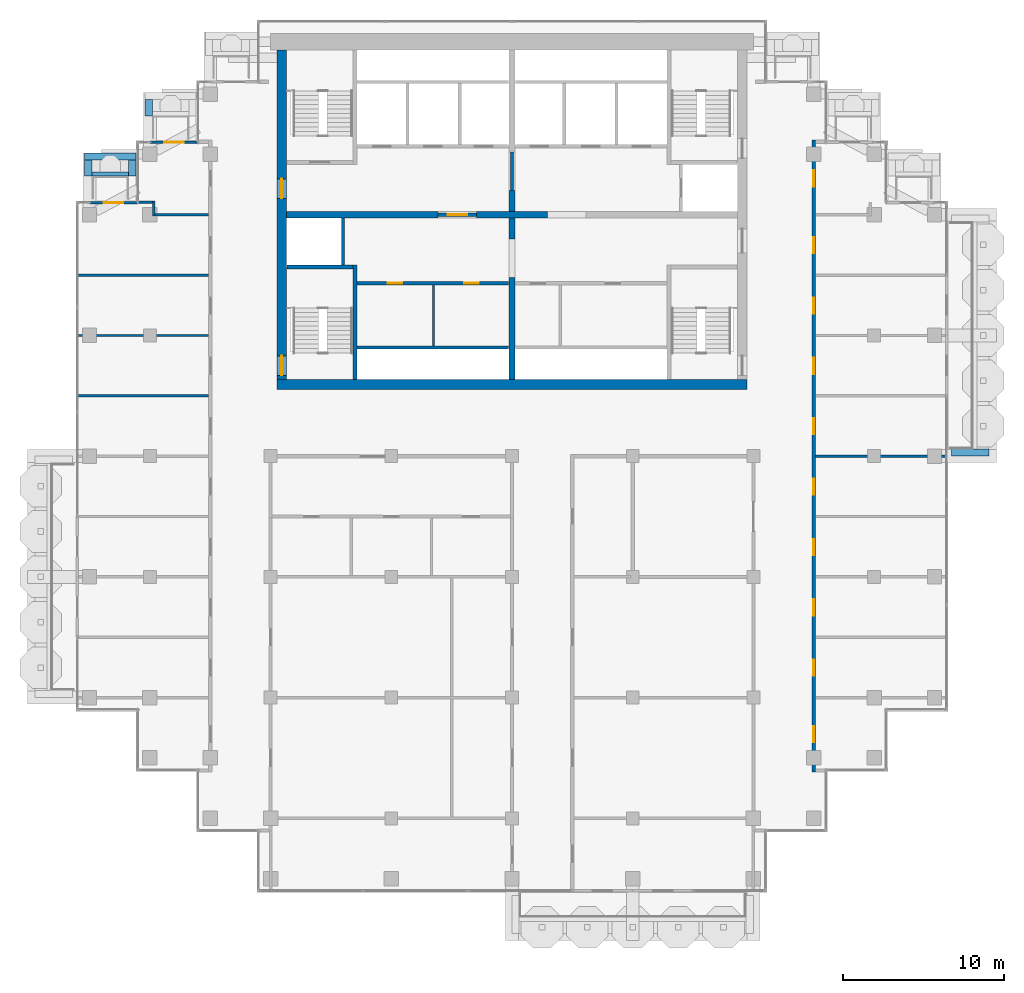
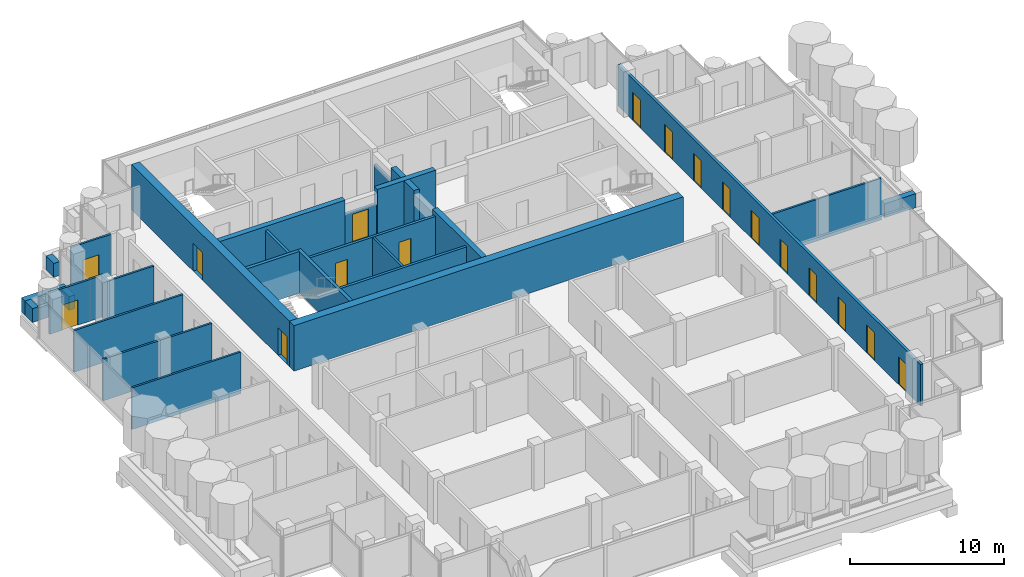
# One storey, part 13 of 19: 31 walls, 17 doors, 17 openings.
"""IFC4 building model written with IfcOpenShell, lengths in metres."""

from ifc_helpers import new_model, si_unit, direction, frame, frame_2d, origin, place, context, subcontext, project, spatial, rectangle, extrude, material, layer, layer_set, type_object, element, fill, save


model = new_model("IFC4")

# Units and contexts
model_context = context("Model", 3, precision=1e-05, world=origin(), true_north=direction((0.0, 1.0)))
body_context = subcontext(model_context, "Body", "Model", "MODEL_VIEW")
ifc_project = project(units=[si_unit("LENGTHUNIT", "METRE"), si_unit("AREAUNIT", "SQUARE_METRE"), si_unit("VOLUMEUNIT", "CUBIC_METRE"), si_unit("PLANEANGLEUNIT", "RADIAN"), si_unit("MASSUNIT", "GRAM", prefix="KILO")], contexts=[model_context])

# Site, building, storey
site_placement = place(None, origin())
site = spatial("IfcSite", under=ifc_project, at=site_placement, CompositionType="ELEMENT")
building_placement = place(site_placement, origin())
building = spatial("IfcBuilding", under=site, at=building_placement, Name="Pilkhan Gate Tower", CompositionType="ELEMENT")
storey_placement = place(building_placement, frame((0.0, 0.0, 246.300048828125)))
storey = spatial("IfcBuildingStorey", under=building, at=storey_placement, Name="L64", CompositionType="ELEMENT", Elevation=246.300048828125)

# Walls
ifc_material_1 = material(Name="Concrete C40/50", Category="concrete")
ifc_layer_1 = layer(ifc_material_1, 0.25)
ifc_layer_set_1 = layer_set([ifc_layer_1], Name="Balcony planter BP250")
wall_type_1 = type_object("IfcWallType", Name="Balcony planter BP250", PredefinedType="USERDEFINED", material=ifc_layer_set_1)
wall_1_placement = place(storey_placement, frame((48.89990234375, 85.02490234375, 0.0), z_axis=(0.0, 0.0, 1.0), x_axis=(1.0, 0.0, 0.0)))
element("IfcWall", 1, at=wall_1_placement, inside=storey, type_object=wall_type_1, Name="Balcony planter L64 N", ObjectType="BALCONY PLANTER", PredefinedType="USERDEFINED", context=body_context, shape_type="SweptSolid", body=[
    extrude(rectangle(XDim=2.280029296875, YDim=0.25, at=frame_2d((1.14013671875, 0.0))), origin(), (0.0, 0.0, 1.0), 1.0),
])
ifc_material_2 = material(Name="Board-marked Concrete C40/50", Category="concrete")
ifc_layer_2 = layer(ifc_material_2, 0.449951171875)
ifc_layer_set_2 = layer_set([ifc_layer_2], Name="Balcony planter lip BL450")
wall_type_2 = type_object("IfcWallType", Name="Balcony planter lip BL450", PredefinedType="USERDEFINED", material=ifc_layer_set_2)
wall_2_placement = place(storey_placement, frame((102.300048828125, 67.72509765625, 0.0), z_axis=(0.0, 0.0, 1.0), x_axis=(1.0, 0.0, 0.0)))
element("IfcWall", 2, at=wall_2_placement, inside=storey, type_object=wall_type_2, Name="Balcony planter L64 E", ObjectType="BALCONY PLANTER", PredefinedType="USERDEFINED", context=body_context, shape_type="SweptSolid", body=[
    extrude(rectangle(XDim=2.349853515625, YDim=0.449951171875, at=frame_2d((1.1748046875, 0.0))), origin(), (0.0, 0.0, 1.0), 1.099853515625),
])
wall_3_placement = place(storey_placement, frame((52.425048828125, 88.64990234375, 0.0), z_axis=(0.0, 0.0, 1.0), x_axis=(0.0, 1.0, 0.0)))
element("IfcWall", 3, at=wall_3_placement, inside=storey, type_object=wall_type_2, Name="Balcony planter L64 N", ObjectType="BALCONY PLANTER", PredefinedType="USERDEFINED", context=body_context, shape_type="SweptSolid", body=[
    extrude(rectangle(XDim=1.0, YDim=0.449951171875, at=frame_2d((0.5, 0.0))), origin(), (0.0, 0.0, 1.0), 1.099853515625),
])
wall_4_placement = place(storey_placement, frame((48.449951171875, 86.125, 0.0), z_axis=(0.0, 0.0, 1.0), x_axis=(1.0, 0.0, 0.0)))
element("IfcWall", 4, at=wall_4_placement, inside=storey, type_object=wall_type_2, Name="Balcony planter L64 N", ObjectType="BALCONY PLANTER", PredefinedType="USERDEFINED", context=body_context, shape_type="SweptSolid", body=[
    extrude(rectangle(XDim=3.179931640625, YDim=0.449951171875, at=frame_2d((1.58984375, 0.0))), origin(), (0.0, 0.0, 1.0), 1.099853515625),
])
for number, where, z_axis, x_axis, name in (
    (5, (48.675048828125, 84.89990234375, 0.0), (0.0, 0.0, 1.0), (0.0, 1.0, 0.0), "Balcony planter L64 N"),
    (6, (51.405029296875, 84.89990234375, 0.0), (0.0, 0.0, 1.0), (0.0, 1.0, 0.0), "Balcony planter L64 N"),
):
    element("IfcWall", number, at=place(storey_placement, frame(where, z_axis=z_axis, x_axis=x_axis)), inside=storey, type_object=wall_type_2, Name=name, ObjectType="BALCONY PLANTER", PredefinedType="USERDEFINED", context=body_context, shape_type="SweptSolid", body=[
        extrude(rectangle(XDim=1.0, YDim=0.449951171875, at=frame_2d((0.5, 0.0))), origin(), (0.0, 0.0, 1.0), 1.099853515625),
    ])
ifc_material_3 = material(Name="Concrete C50/60", Category="concrete")
ifc_layer_3 = layer(ifc_material_3, 0.60009765625)
ifc_layer_set_3 = layer_set([ifc_layer_3], Name="Core wall CW600 C50/60")
wall_type_3 = type_object("IfcWallType", Name="Core wall CW600 C50/60", PredefinedType="SHEAR", material=ifc_layer_set_3)
wall_5_placement = place(storey_placement, frame((60.39990234375, 71.949951171875, 0.0), z_axis=(0.0, 0.0, 1.0), x_axis=(1.0, 0.0, 0.0)))
element("IfcWall", 7, at=wall_5_placement, inside=storey, type_object=wall_type_3, Name="Core wall S L64", PredefinedType="SHEAR", context=body_context, shape_type="SweptSolid", body=[
    extrude(rectangle(XDim=29.2001953125, YDim=0.60009765625, at=frame_2d((14.60009765625, 0.0))), origin(), (0.0, 0.0, 1.0), 3.599853515625),
])

# Wall, openings, doors
wall_6_placement = place(storey_placement, frame((60.699951171875, 92.75, 0.0), z_axis=(0.0, 0.0, 1.0), x_axis=(0.0, -1.0, 0.0)))
wall_6 = element("IfcWall", 8, at=wall_6_placement, inside=storey, type_object=wall_type_3, Name="Core wall W L64", PredefinedType="SHEAR", context=body_context, shape_type="SweptSolid", body=[
    extrude(rectangle(XDim=20.5, YDim=0.60009765625, at=frame_2d((10.25, 0.0))), origin(), (0.0, 0.0, 1.0), 3.599853515625),
])
opening_1_placement = place(wall_6_placement, frame((19.02490234375, 0.0, 0.0)))
opening_1 = element("IfcOpeningElement", 9, at=opening_1_placement, cuts=wall_6, Name="Opening L64-04", PredefinedType="OPENING", context=body_context, shape_type="SweptSolid", body=[
    extrude(rectangle(XDim=1.199951171875, YDim=2.199951171875, at=frame_2d((0.60009765625, 1.10009765625))), frame((0.0, 0.31005859375, 0.0), z_axis=(0.0, -1.0, 0.0), x_axis=(1.0, 0.0, 0.0)), (0.0, 0.0, 1.0), 0.6201171875),
])
opening_2_placement = place(wall_6_placement, frame((8.02490234375, 0.0, 0.0)))
opening_2 = element("IfcOpeningElement", 10, at=opening_2_placement, cuts=wall_6, Name="Opening L64-07", PredefinedType="OPENING", context=body_context, shape_type="SweptSolid", body=[
    extrude(rectangle(XDim=1.199951171875, YDim=2.199951171875, at=frame_2d((0.60009765625, 1.10009765625))), frame((0.0, 0.31005859375, 0.0), z_axis=(0.0, -1.0, 0.0), x_axis=(1.0, 0.0, 0.0)), (0.0, 0.0, 1.0), 0.6201171875),
])
ifc_material_4 = material(Name="Steel door, 120 minute fire resisting, self-closing", Category="steel")
door_type_1 = type_object("IfcDoorType", Name="Firefighting lobby door D10 1200x2200", OperationType="SINGLE_SWING_LEFT", PredefinedType="DOOR", material=ifc_material_4)
door_1_placement = place(opening_2_placement, origin())
door_1 = element("IfcDoor", 11, at=door_1_placement, inside=storey, type_object=door_type_1, Name="Core door", OperationType="SINGLE_SWING_RIGHT", OverallHeight=2.199951171875, OverallWidth=1.199951171875, PredefinedType="DOOR", context=body_context, shape_type="SweptSolid", body=[
    extrude(rectangle(XDim=1.199951171875, YDim=2.199951171875, at=frame_2d((0.60009765625, 1.10009765625))), frame((0.0, 0.02490234375, 0.0), z_axis=(0.0, -1.0, 0.0), x_axis=(1.0, 0.0, 0.0)), (0.0, 0.0, 1.0), 0.050048828125),
])
fill(opening_2, door_1)
ifc_material_5 = material(Name="Steel door, 120 minute fire resisting, panic bar", Category="steel")
door_type_2 = type_object("IfcDoorType", Name="Stair door D11 1200x2200", OperationType="SINGLE_SWING_LEFT", PredefinedType="DOOR", material=ifc_material_5)
door_2_placement = place(opening_1_placement, origin())
door_2 = element("IfcDoor", 12, at=door_2_placement, inside=storey, type_object=door_type_2, Name="Stair ST2 door", OperationType="SINGLE_SWING_RIGHT", OverallHeight=2.199951171875, OverallWidth=1.199951171875, PredefinedType="DOOR", context=body_context, shape_type="SweptSolid", body=[
    extrude(rectangle(XDim=1.199951171875, YDim=2.199951171875, at=frame_2d((0.60009765625, 1.10009765625))), frame((0.0, 0.02490234375, 0.0), z_axis=(0.0, -1.0, 0.0), x_axis=(1.0, 0.0, 0.0)), (0.0, 0.0, 1.0), 0.050048828125),
])
fill(opening_1, door_2)

ifc_material_6 = material(Name="Dense blockwork", Category="masonry")
ifc_layer_4 = layer(ifc_material_6, 0.199951171875)
ifc_layer_set_4 = layer_set([ifc_layer_4], Name="Corridor wall FW200")
wall_type_4 = type_object("IfcWallType", Name="Corridor wall FW200", PredefinedType="PARTITIONING", material=ifc_layer_set_4)
wall_7_placement = place(storey_placement, frame((93.75, 47.8701171875, 0.0), z_axis=(0.0, 0.0, 1.0), x_axis=(0.0, 1.0, 0.0)))
wall_7 = element("IfcWall", 13, at=wall_7_placement, inside=storey, type_object=wall_type_4, Name="Partition L64", PredefinedType="PARTITIONING", context=body_context, shape_type="SweptSolid", body=[
    extrude(rectangle(XDim=39.259765625, YDim=0.199951171875, at=frame_2d((19.6298828125, 0.0))), origin(), (0.0, 0.0, 1.0), 3.300048828125),
])
opening_3_placement = place(wall_7_placement, frame((1.85009765625, 0.0, 0.0)))
opening_3 = element("IfcOpeningElement", 14, at=opening_3_placement, cuts=wall_7, Name="Opening L64-33", PredefinedType="OPENING", context=body_context, shape_type="SweptSolid", body=[
    extrude(rectangle(XDim=1.0, YDim=2.199951171875, at=frame_2d((0.5, 1.10009765625))), frame((0.0, 0.10986328125, 0.0), z_axis=(0.0, -1.0, 0.0), x_axis=(1.0, 0.0, 0.0)), (0.0, 0.0, 1.0), 0.219970703125),
])
opening_4_placement = place(wall_7_placement, frame((5.97998046875, 0.0, 0.0)))
opening_4 = element("IfcOpeningElement", 15, at=opening_4_placement, cuts=wall_7, Name="Opening L64-34", PredefinedType="OPENING", context=body_context, shape_type="SweptSolid", body=[
    extrude(rectangle(XDim=1.0, YDim=2.199951171875, at=frame_2d((0.5, 1.10009765625))), frame((0.0, 0.10986328125, 0.0), z_axis=(0.0, -1.0, 0.0), x_axis=(1.0, 0.0, 0.0)), (0.0, 0.0, 1.0), 0.219970703125),
])
opening_5_placement = place(wall_7_placement, frame((9.72998046875, 0.0, 0.0)))
opening_5 = element("IfcOpeningElement", 16, at=opening_5_placement, cuts=wall_7, Name="Opening L64-35", PredefinedType="OPENING", context=body_context, shape_type="SweptSolid", body=[
    extrude(rectangle(XDim=1.0, YDim=2.199951171875, at=frame_2d((0.5, 1.10009765625))), frame((0.0, 0.10986328125, 0.0), z_axis=(0.0, -1.0, 0.0), x_axis=(1.0, 0.0, 0.0)), (0.0, 0.0, 1.0), 0.219970703125),
])
opening_6_placement = place(wall_7_placement, frame((13.47998046875, 0.0, 0.0)))
opening_6 = element("IfcOpeningElement", 17, at=opening_6_placement, cuts=wall_7, Name="Opening L64-36", PredefinedType="OPENING", context=body_context, shape_type="SweptSolid", body=[
    extrude(rectangle(XDim=1.0, YDim=2.199951171875, at=frame_2d((0.5, 1.10009765625))), frame((0.0, 0.10986328125, 0.0), z_axis=(0.0, -1.0, 0.0), x_axis=(1.0, 0.0, 0.0)), (0.0, 0.0, 1.0), 0.219970703125),
])
opening_7_placement = place(wall_7_placement, frame((17.22998046875, 0.0, 0.0)))
opening_7 = element("IfcOpeningElement", 18, at=opening_7_placement, cuts=wall_7, Name="Opening L64-37", PredefinedType="OPENING", context=body_context, shape_type="SweptSolid", body=[
    extrude(rectangle(XDim=1.0, YDim=2.199951171875, at=frame_2d((0.5, 1.10009765625))), frame((0.0, 0.10986328125, 0.0), z_axis=(0.0, -1.0, 0.0), x_axis=(1.0, 0.0, 0.0)), (0.0, 0.0, 1.0), 0.219970703125),
])
opening_8_placement = place(wall_7_placement, frame((20.97998046875, 0.0, 0.0)))
opening_8 = element("IfcOpeningElement", 19, at=opening_8_placement, cuts=wall_7, Name="Opening L64-38", PredefinedType="OPENING", context=body_context, shape_type="SweptSolid", body=[
    extrude(rectangle(XDim=1.0, YDim=2.199951171875, at=frame_2d((0.5, 1.10009765625))), frame((0.0, 0.10986328125, 0.0), z_axis=(0.0, -1.0, 0.0), x_axis=(1.0, 0.0, 0.0)), (0.0, 0.0, 1.0), 0.219970703125),
])
opening_9_placement = place(wall_7_placement, frame((24.72998046875, 0.0, 0.0)))
opening_9 = element("IfcOpeningElement", 20, at=opening_9_placement, cuts=wall_7, Name="Opening L64-39", PredefinedType="OPENING", context=body_context, shape_type="SweptSolid", body=[
    extrude(rectangle(XDim=1.0, YDim=2.199951171875, at=frame_2d((0.5, 1.10009765625))), frame((0.0, 0.10986328125, 0.0), z_axis=(0.0, -1.0, 0.0), x_axis=(1.0, 0.0, 0.0)), (0.0, 0.0, 1.0), 0.219970703125),
])
opening_10_placement = place(wall_7_placement, frame((28.47998046875, 0.0, 0.0)))
opening_10 = element("IfcOpeningElement", 21, at=opening_10_placement, cuts=wall_7, Name="Opening L64-43", PredefinedType="OPENING", context=body_context, shape_type="SweptSolid", body=[
    extrude(rectangle(XDim=1.0, YDim=2.199951171875, at=frame_2d((0.5, 1.10009765625))), frame((0.0, 0.10986328125, 0.0), z_axis=(0.0, -1.0, 0.0), x_axis=(1.0, 0.0, 0.0)), (0.0, 0.0, 1.0), 0.219970703125),
])
opening_11_placement = place(wall_7_placement, frame((32.22998046875, 0.0, 0.0)))
opening_11 = element("IfcOpeningElement", 22, at=opening_11_placement, cuts=wall_7, Name="Opening L64-44", PredefinedType="OPENING", context=body_context, shape_type="SweptSolid", body=[
    extrude(rectangle(XDim=1.0, YDim=2.199951171875, at=frame_2d((0.5, 1.10009765625))), frame((0.0, 0.10986328125, 0.0), z_axis=(0.0, -1.0, 0.0), x_axis=(1.0, 0.0, 0.0)), (0.0, 0.0, 1.0), 0.219970703125),
])
opening_12_placement = place(wall_7_placement, frame((36.3798828125, 0.0, 0.0)))
opening_12 = element("IfcOpeningElement", 23, at=opening_12_placement, cuts=wall_7, Name="Opening L64-45", PredefinedType="OPENING", context=body_context, shape_type="SweptSolid", body=[
    extrude(rectangle(XDim=1.0, YDim=2.199951171875, at=frame_2d((0.5, 1.10009765625))), frame((0.0, 0.10986328125, 0.0), z_axis=(0.0, -1.0, 0.0), x_axis=(1.0, 0.0, 0.0)), (0.0, 0.0, 1.0), 0.219970703125),
])
ifc_material_7 = material(Name="Timber flush door, 30 minute fire resisting", Category="wood")
door_type_3 = type_object("IfcDoorType", Name="Room door D03 1000x2200", OperationType="SINGLE_SWING_LEFT", PredefinedType="DOOR", material=ifc_material_7)
door_3_placement = place(opening_3_placement, origin())
door_3 = element("IfcDoor", 24, at=door_3_placement, inside=storey, type_object=door_type_3, Name="Room door", OperationType="SINGLE_SWING_LEFT", OverallHeight=2.199951171875, OverallWidth=1.0, PredefinedType="DOOR", context=body_context, shape_type="SweptSolid", body=[
    extrude(rectangle(XDim=1.0, YDim=2.199951171875, at=frame_2d((0.5, 1.10009765625))), frame((0.0, 0.02490234375, 0.0), z_axis=(0.0, -1.0, 0.0), x_axis=(1.0, 0.0, 0.0)), (0.0, 0.0, 1.0), 0.050048828125),
])
fill(opening_3, door_3)
door_4_placement = place(opening_4_placement, origin())
door_4 = element("IfcDoor", 25, at=door_4_placement, inside=storey, type_object=door_type_3, Name="Room door", OperationType="SINGLE_SWING_RIGHT", OverallHeight=2.199951171875, OverallWidth=1.0, PredefinedType="DOOR", context=body_context, shape_type="SweptSolid", body=[
    extrude(rectangle(XDim=1.0, YDim=2.199951171875, at=frame_2d((0.5, 1.10009765625))), frame((0.0, 0.02490234375, 0.0), z_axis=(0.0, -1.0, 0.0), x_axis=(1.0, 0.0, 0.0)), (0.0, 0.0, 1.0), 0.050048828125),
])
fill(opening_4, door_4)
door_5_placement = place(opening_5_placement, origin())
door_5 = element("IfcDoor", 26, at=door_5_placement, inside=storey, type_object=door_type_3, Name="Room door", OperationType="SINGLE_SWING_LEFT", OverallHeight=2.199951171875, OverallWidth=1.0, PredefinedType="DOOR", context=body_context, shape_type="SweptSolid", body=[
    extrude(rectangle(XDim=1.0, YDim=2.199951171875, at=frame_2d((0.5, 1.10009765625))), frame((0.0, 0.02490234375, 0.0), z_axis=(0.0, -1.0, 0.0), x_axis=(1.0, 0.0, 0.0)), (0.0, 0.0, 1.0), 0.050048828125),
])
fill(opening_5, door_5)
door_6_placement = place(opening_6_placement, origin())
door_6 = element("IfcDoor", 27, at=door_6_placement, inside=storey, type_object=door_type_3, Name="Room door", OperationType="SINGLE_SWING_LEFT", OverallHeight=2.199951171875, OverallWidth=1.0, PredefinedType="DOOR", context=body_context, shape_type="SweptSolid", body=[
    extrude(rectangle(XDim=1.0, YDim=2.199951171875, at=frame_2d((0.5, 1.10009765625))), frame((0.0, 0.02490234375, 0.0), z_axis=(0.0, -1.0, 0.0), x_axis=(1.0, 0.0, 0.0)), (0.0, 0.0, 1.0), 0.050048828125),
])
fill(opening_6, door_6)
door_7_placement = place(opening_7_placement, origin())
door_7 = element("IfcDoor", 28, at=door_7_placement, inside=storey, type_object=door_type_3, Name="Room door", OperationType="SINGLE_SWING_LEFT", OverallHeight=2.199951171875, OverallWidth=1.0, PredefinedType="DOOR", context=body_context, shape_type="SweptSolid", body=[
    extrude(rectangle(XDim=1.0, YDim=2.199951171875, at=frame_2d((0.5, 1.10009765625))), frame((0.0, 0.02490234375, 0.0), z_axis=(0.0, -1.0, 0.0), x_axis=(1.0, 0.0, 0.0)), (0.0, 0.0, 1.0), 0.050048828125),
])
fill(opening_7, door_7)
door_8_placement = place(opening_8_placement, origin())
door_8 = element("IfcDoor", 29, at=door_8_placement, inside=storey, type_object=door_type_3, Name="Room door", OperationType="SINGLE_SWING_LEFT", OverallHeight=2.199951171875, OverallWidth=1.0, PredefinedType="DOOR", context=body_context, shape_type="SweptSolid", body=[
    extrude(rectangle(XDim=1.0, YDim=2.199951171875, at=frame_2d((0.5, 1.10009765625))), frame((0.0, 0.02490234375, 0.0), z_axis=(0.0, -1.0, 0.0), x_axis=(1.0, 0.0, 0.0)), (0.0, 0.0, 1.0), 0.050048828125),
])
fill(opening_8, door_8)
door_9_placement = place(opening_9_placement, origin())
door_9 = element("IfcDoor", 30, at=door_9_placement, inside=storey, type_object=door_type_3, Name="Room door", OperationType="SINGLE_SWING_LEFT", OverallHeight=2.199951171875, OverallWidth=1.0, PredefinedType="DOOR", context=body_context, shape_type="SweptSolid", body=[
    extrude(rectangle(XDim=1.0, YDim=2.199951171875, at=frame_2d((0.5, 1.10009765625))), frame((0.0, 0.02490234375, 0.0), z_axis=(0.0, -1.0, 0.0), x_axis=(1.0, 0.0, 0.0)), (0.0, 0.0, 1.0), 0.050048828125),
])
fill(opening_9, door_9)
door_10_placement = place(opening_10_placement, origin())
door_10 = element("IfcDoor", 31, at=door_10_placement, inside=storey, type_object=door_type_3, Name="Room door", OperationType="SINGLE_SWING_LEFT", OverallHeight=2.199951171875, OverallWidth=1.0, PredefinedType="DOOR", context=body_context, shape_type="SweptSolid", body=[
    extrude(rectangle(XDim=1.0, YDim=2.199951171875, at=frame_2d((0.5, 1.10009765625))), frame((0.0, 0.02490234375, 0.0), z_axis=(0.0, -1.0, 0.0), x_axis=(1.0, 0.0, 0.0)), (0.0, 0.0, 1.0), 0.050048828125),
])
fill(opening_10, door_10)
door_11_placement = place(opening_11_placement, origin())
door_11 = element("IfcDoor", 32, at=door_11_placement, inside=storey, type_object=door_type_3, Name="Room door", OperationType="SINGLE_SWING_LEFT", OverallHeight=2.199951171875, OverallWidth=1.0, PredefinedType="DOOR", context=body_context, shape_type="SweptSolid", body=[
    extrude(rectangle(XDim=1.0, YDim=2.199951171875, at=frame_2d((0.5, 1.10009765625))), frame((0.0, 0.02490234375, 0.0), z_axis=(0.0, -1.0, 0.0), x_axis=(1.0, 0.0, 0.0)), (0.0, 0.0, 1.0), 0.050048828125),
])
fill(opening_11, door_11)
door_12_placement = place(opening_12_placement, origin())
door_12 = element("IfcDoor", 33, at=door_12_placement, inside=storey, type_object=door_type_3, Name="Room door", OperationType="SINGLE_SWING_LEFT", OverallHeight=2.199951171875, OverallWidth=1.0, PredefinedType="DOOR", context=body_context, shape_type="SweptSolid", body=[
    extrude(rectangle(XDim=1.0, YDim=2.199951171875, at=frame_2d((0.5, 1.10009765625))), frame((0.0, 0.02490234375, 0.0), z_axis=(0.0, -1.0, 0.0), x_axis=(1.0, 0.0, 0.0)), (0.0, 0.0, 1.0), 0.050048828125),
])
fill(opening_12, door_12)

# Wall, opening, door
ifc_material_8 = material(Name="Pale anodised aluminium, clear laminated glazing", Category="aluminium")
ifc_layer_5 = layer(ifc_material_8, 0.14990234375)
ifc_layer_set_5 = layer_set([ifc_layer_5], Name="Facade infill wall IW150")
wall_type_5 = type_object("IfcWallType", Name="Facade infill wall IW150", PredefinedType="SOLIDWALL", material=ifc_layer_set_5)
wall_8_placement = place(storey_placement, frame((52.5, 87.0, 0.0), z_axis=(0.0, 0.0, 1.0), x_axis=(1.0, 0.0, 0.0)))
wall_8 = element("IfcWall", 34, at=wall_8_placement, inside=storey, type_object=wall_type_5, Name="Infill wall L64 N", PredefinedType="SOLIDWALL", context=body_context, shape_type="SweptSolid", body=[
    extrude(rectangle(XDim=3.0, YDim=0.14990234375, at=frame_2d((1.5, 0.0))), origin(), (0.0, 0.0, 1.0), 3.300048828125),
])
opening_13_placement = place(wall_8_placement, frame((0.89990234375, 0.0, 0.0)))
opening_13 = element("IfcOpeningElement", 35, at=opening_13_placement, cuts=wall_8, Name="Opening D1L", PredefinedType="OPENING", context=body_context, shape_type="SweptSolid", body=[
    extrude(rectangle(XDim=1.199951171875, YDim=2.0, at=frame_2d((0.60009765625, 1.0))), frame((0.0, 0.0849609375, 0.0), z_axis=(0.0, -1.0, 0.0), x_axis=(1.0, 0.0, 0.0)), (0.0, 0.0, 1.0), 0.169921875),
])
ifc_material_9 = material(Name="Pale anodised aluminium, clear glazing", Category="aluminium")
door_type_4 = type_object("IfcDoorType", Name="Balcony door D1L 1200x2000", OperationType="SINGLE_SWING_LEFT", PredefinedType="DOOR", material=ifc_material_9)
door_13_placement = place(opening_13_placement, origin())
door_13 = element("IfcDoor", 36, at=door_13_placement, inside=storey, type_object=door_type_4, Name="Balcony door L64", OperationType="SINGLE_SWING_LEFT", OverallHeight=2.0, OverallWidth=1.199951171875, PredefinedType="DOOR", context=body_context, shape_type="SweptSolid", body=[
    extrude(rectangle(XDim=1.199951171875, YDim=2.0, at=frame_2d((0.60009765625, 1.0))), frame((0.0, 0.02490234375, 0.0), z_axis=(0.0, -1.0, 0.0), x_axis=(1.0, 0.0, 0.0)), (0.0, 0.0, 1.0), 0.050048828125),
])
fill(opening_13, door_13)

wall_9_placement = place(storey_placement, frame((48.75, 83.25, 0.0), z_axis=(0.0, 0.0, 1.0), x_axis=(1.0, 0.0, 0.0)))
wall_9 = element("IfcWall", 37, at=wall_9_placement, inside=storey, type_object=wall_type_5, Name="Infill wall L64 N", PredefinedType="SOLIDWALL", context=body_context, shape_type="SweptSolid", body=[
    extrude(rectangle(XDim=3.0, YDim=0.14990234375, at=frame_2d((1.5, 0.0))), origin(), (0.0, 0.0, 1.0), 3.300048828125),
])
opening_14_placement = place(wall_9_placement, frame((0.89990234375, 0.0, 0.0)))
opening_14 = element("IfcOpeningElement", 38, at=opening_14_placement, cuts=wall_9, Name="Opening D1L", PredefinedType="OPENING", context=body_context, shape_type="SweptSolid", body=[
    extrude(rectangle(XDim=1.199951171875, YDim=2.0, at=frame_2d((0.60009765625, 1.0))), frame((0.0, 0.0849609375, 0.0), z_axis=(0.0, -1.0, 0.0), x_axis=(1.0, 0.0, 0.0)), (0.0, 0.0, 1.0), 0.169921875),
])
door_14_placement = place(opening_14_placement, origin())
door_14 = element("IfcDoor", 39, at=door_14_placement, inside=storey, type_object=door_type_4, Name="Balcony door L64", OperationType="SINGLE_SWING_LEFT", OverallHeight=2.0, OverallWidth=1.199951171875, PredefinedType="DOOR", context=body_context, shape_type="SweptSolid", body=[
    extrude(rectangle(XDim=1.199951171875, YDim=2.0, at=frame_2d((0.60009765625, 1.0))), frame((0.0, 0.02490234375, 0.0), z_axis=(0.0, -1.0, 0.0), x_axis=(1.0, 0.0, 0.0)), (0.0, 0.0, 1.0), 0.050048828125),
])
fill(opening_14, door_14)

# Wall
ifc_layer_6 = layer(ifc_material_6, 0.199951171875)
ifc_layer_set_6 = layer_set([ifc_layer_6], Name="Lobby wall LW200")
wall_type_6 = type_object("IfcWallType", Name="Lobby wall LW200", PredefinedType="PARTITIONING", material=ifc_layer_set_6)
wall_10_placement = place(storey_placement, frame((65.375, 74.25, 0.0), z_axis=(0.0, 0.0, 1.0), x_axis=(1.0, 0.0, 0.0)))
element("IfcWall", 40, at=wall_10_placement, inside=storey, type_object=wall_type_6, Name="Partition L64", PredefinedType="PARTITIONING", context=body_context, shape_type="SweptSolid", body=[
    extrude(rectangle(XDim=9.4150390625, YDim=0.199951171875, at=frame_2d((4.70751953125, 0.0))), origin(), (0.0, 0.0, 1.0), 3.300048828125),
])

# Wall, openings, doors
wall_11_placement = place(storey_placement, frame((65.375, 78.25, 0.0), z_axis=(0.0, 0.0, 1.0), x_axis=(1.0, 0.0, 0.0)))
wall_11 = element("IfcWall", 41, at=wall_11_placement, inside=storey, type_object=wall_type_6, Name="Partition L64", PredefinedType="PARTITIONING", context=body_context, shape_type="SweptSolid", body=[
    extrude(rectangle(XDim=9.4150390625, YDim=0.199951171875, at=frame_2d((4.70751953125, 0.0))), origin(), (0.0, 0.0, 1.0), 3.300048828125),
])
opening_15_placement = place(wall_11_placement, frame((1.89990234375, 0.0, 0.0)))
opening_15 = element("IfcOpeningElement", 42, at=opening_15_placement, cuts=wall_11, Name="Opening L64-08", PredefinedType="OPENING", context=body_context, shape_type="SweptSolid", body=[
    extrude(rectangle(XDim=0.89990234375, YDim=2.199951171875, at=frame_2d((0.449951171875, 1.10009765625))), frame((0.0, 0.10986328125, 0.0), z_axis=(0.0, -1.0, 0.0), x_axis=(1.0, 0.0, 0.0)), (0.0, 0.0, 1.0), 0.219970703125),
])
opening_16_placement = place(wall_11_placement, frame((6.64990234375, 0.0, 0.0)))
opening_16 = element("IfcOpeningElement", 43, at=opening_16_placement, cuts=wall_11, Name="Opening L64-09", PredefinedType="OPENING", context=body_context, shape_type="SweptSolid", body=[
    extrude(rectangle(XDim=0.89990234375, YDim=2.199951171875, at=frame_2d((0.449951171875, 1.10009765625))), frame((0.0, 0.10986328125, 0.0), z_axis=(0.0, -1.0, 0.0), x_axis=(1.0, 0.0, 0.0)), (0.0, 0.0, 1.0), 0.219970703125),
])
ifc_material_10 = material(Name="Timber flush door, 60 minute fire resisting, self-closing", Category="wood")
door_type_5 = type_object("IfcDoorType", Name="Store door D05 900x2200", OperationType="SINGLE_SWING_LEFT", PredefinedType="DOOR", material=ifc_material_10)
door_15_placement = place(opening_15_placement, origin())
door_15 = element("IfcDoor", 44, at=door_15_placement, inside=storey, type_object=door_type_5, Name="Store door", OperationType="SINGLE_SWING_RIGHT", OverallHeight=2.199951171875, OverallWidth=0.89990234375, PredefinedType="DOOR", context=body_context, shape_type="SweptSolid", body=[
    extrude(rectangle(XDim=0.89990234375, YDim=2.199951171875, at=frame_2d((0.449951171875, 1.10009765625))), frame((0.0, 0.02490234375, 0.0), z_axis=(0.0, -1.0, 0.0), x_axis=(1.0, 0.0, 0.0)), (0.0, 0.0, 1.0), 0.050048828125),
])
fill(opening_15, door_15)
door_16_placement = place(opening_16_placement, origin())
door_16 = element("IfcDoor", 45, at=door_16_placement, inside=storey, type_object=door_type_5, Name="Store door", OperationType="SINGLE_SWING_RIGHT", OverallHeight=2.199951171875, OverallWidth=0.89990234375, PredefinedType="DOOR", context=body_context, shape_type="SweptSolid", body=[
    extrude(rectangle(XDim=0.89990234375, YDim=2.199951171875, at=frame_2d((0.449951171875, 1.10009765625))), frame((0.0, 0.02490234375, 0.0), z_axis=(0.0, -1.0, 0.0), x_axis=(1.0, 0.0, 0.0)), (0.0, 0.0, 1.0), 0.050048828125),
])
fill(opening_16, door_16)

# Wall, opening, door
wall_12_placement = place(storey_placement, frame((70.409912109375, 82.5, 0.0), z_axis=(0.0, 0.0, 1.0), x_axis=(1.0, 0.0, 0.0)))
wall_12 = element("IfcWall", 46, at=wall_12_placement, inside=storey, type_object=wall_type_6, Name="Partition L64", PredefinedType="PARTITIONING", context=body_context, shape_type="SweptSolid", body=[
    extrude(rectangle(XDim=2.380126953125, YDim=0.199951171875, at=frame_2d((1.18994140625, 0.0))), origin(), (0.0, 0.0, 1.0), 2.39990234375),
])
opening_17_placement = place(wall_12_placement, frame((0.60009765625, 0.0, 0.0)))
opening_17 = element("IfcOpeningElement", 47, at=opening_17_placement, cuts=wall_12, Name="Opening L64-01", PredefinedType="OPENING", context=body_context, shape_type="SweptSolid", body=[
    extrude(rectangle(XDim=1.199951171875, YDim=2.199951171875, at=frame_2d((0.60009765625, 1.10009765625))), frame((0.0, 0.10986328125, 0.0), z_axis=(0.0, -1.0, 0.0), x_axis=(1.0, 0.0, 0.0)), (0.0, 0.0, 1.0), 0.219970703125),
])
door_17_placement = place(opening_17_placement, origin())
door_17 = element("IfcDoor", 48, at=door_17_placement, inside=storey, type_object=door_type_1, Name="Firefighting lobby door", OperationType="SINGLE_SWING_LEFT", OverallHeight=2.199951171875, OverallWidth=1.199951171875, PredefinedType="DOOR", context=body_context, shape_type="SweptSolid", body=[
    extrude(rectangle(XDim=1.199951171875, YDim=2.199951171875, at=frame_2d((0.60009765625, 1.10009765625))), frame((0.0, 0.02490234375, 0.0), z_axis=(0.0, -1.0, 0.0), x_axis=(1.0, 0.0, 0.0)), (0.0, 0.0, 1.0), 0.050048828125),
])
fill(opening_17, door_17)

# Walls
wall_13_placement = place(storey_placement, frame((75.0, 84.010009765625, 0.0), z_axis=(0.0, 0.0, 1.0), x_axis=(0.0, 1.0, 0.0)))
element("IfcWall", 49, at=wall_13_placement, inside=storey, type_object=wall_type_6, Name="Partition L64", PredefinedType="PARTITIONING", context=body_context, shape_type="SweptSolid", body=[
    extrude(rectangle(XDim=2.3798828125, YDim=0.199951171875, at=frame_2d((1.18994140625, 0.0))), origin(), (0.0, 0.0, 1.0), 2.39990234375),
])
ifc_material_11 = material(Name="Blockwork partition, plastered both sides", Category="masonry")
ifc_layer_7 = layer(ifc_material_11, 0.14990234375)
ifc_layer_set_7 = layer_set([ifc_layer_7], Name="Partition PW150")
wall_type_7 = type_object("IfcWallType", Name="Partition PW150", PredefinedType="PARTITIONING", material=ifc_layer_set_7)
for number, where, z_axis, x_axis, name in (
    (50, (93.85009765625, 67.5, 0.0), (0.0, 0.0, 1.0), (1.0, 0.0, 0.0), "Partition L64"),
    (51, (47.985107421875, 71.25, 0.0), (0.0, 0.0, 1.0), (1.0, 0.0, 0.0), "Partition L64"),
    (52, (47.985107421875, 75.0, 0.0), (0.0, 0.0, 1.0), (1.0, 0.0, 0.0), "Partition L64"),
    (53, (47.985107421875, 78.75, 0.0), (0.0, 0.0, 1.0), (1.0, 0.0, 0.0), "Partition L64"),
):
    element("IfcWall", number, at=place(storey_placement, frame(where, z_axis=z_axis, x_axis=x_axis)), inside=storey, type_object=wall_type_7, Name=name, PredefinedType="PARTITIONING", context=body_context, shape_type="SweptSolid", body=[
        extrude(rectangle(XDim=8.164794921875, YDim=0.14990234375, at=frame_2d((4.08251953125, 0.0))), origin(), (0.0, 0.0, 1.0), 3.300048828125),
    ])
wall_14_placement = place(storey_placement, frame((52.81005859375, 82.5, 0.0), z_axis=(0.0, 0.0, 1.0), x_axis=(1.0, 0.0, 0.0)))
element("IfcWall", 54, at=wall_14_placement, inside=storey, type_object=wall_type_7, Name="Partition L64", PredefinedType="PARTITIONING", context=body_context, shape_type="SweptSolid", body=[
    extrude(rectangle(XDim=3.33984375, YDim=0.14990234375, at=frame_2d((1.669921875, 0.0))), origin(), (0.0, 0.0, 1.0), 3.300048828125),
])
wall_15_placement = place(storey_placement, frame((51.760009765625, 83.264892578125, 0.0), z_axis=(0.0, 0.0, 1.0), x_axis=(1.0, 0.0, 0.0)))
element("IfcWall", 55, at=wall_15_placement, inside=storey, type_object=wall_type_7, Name="Partition L64", PredefinedType="PARTITIONING", context=body_context, shape_type="SweptSolid", body=[
    extrude(rectangle(XDim=0.89990234375, YDim=0.14990234375, at=frame_2d((0.449951171875, 0.0))), origin(), (0.0, 0.0, 1.0), 3.300048828125),
])
wall_16_placement = place(storey_placement, frame((52.735107421875, 82.425048828125, 0.0), z_axis=(0.0, 0.0, 1.0), x_axis=(0.0, 1.0, 0.0)))
element("IfcWall", 56, at=wall_16_placement, inside=storey, type_object=wall_type_7, Name="Partition L64", PredefinedType="PARTITIONING", context=body_context, shape_type="SweptSolid", body=[
    extrude(rectangle(XDim=0.9150390625, YDim=0.14990234375, at=frame_2d((0.45751953125, 0.0))), origin(), (0.0, 0.0, 1.0), 3.300048828125),
])
wall_17_placement = place(storey_placement, frame((70.125, 74.35009765625, 0.0), z_axis=(0.0, 0.0, 1.0), x_axis=(0.0, 1.0, 0.0)))
element("IfcWall", 57, at=wall_17_placement, inside=storey, type_object=wall_type_7, Name="Partition L64", PredefinedType="PARTITIONING", context=body_context, shape_type="SweptSolid", body=[
    extrude(rectangle(XDim=3.7998046875, YDim=0.14990234375, at=frame_2d((1.89990234375, 0.0))), origin(), (0.0, 0.0, 1.0), 3.300048828125),
])
ifc_material_12 = material(Name="Reinforced blockwork shaft wall, 120 minute fire resisting", Category="masonry")
ifc_layer_8 = layer(ifc_material_12, 0.199951171875)
ifc_layer_set_8 = layer_set([ifc_layer_8], Name="Shaft wall SW200")
wall_type_8 = type_object("IfcWallType", Name="Shaft wall SW200", PredefinedType="PARTITIONING", material=ifc_layer_set_8)
wall_18_placement = place(storey_placement, frame((64.5, 79.375, 0.0), z_axis=(0.0, 0.0, 1.0), x_axis=(0.0, 1.0, 0.0)))
element("IfcWall", 58, at=wall_18_placement, inside=storey, type_object=wall_type_8, Name="Partition L64", PredefinedType="PARTITIONING", context=body_context, shape_type="SweptSolid", body=[
    extrude(rectangle(XDim=2.9150390625, YDim=0.199951171875, at=frame_2d((1.45751953125, 0.0))), origin(), (0.0, 0.0, 1.0), 3.300048828125),
])
ifc_layer_9 = layer(ifc_material_3, 0.39990234375)
ifc_layer_set_9 = layer_set([ifc_layer_9], Name="Spine wall SW400 C50/60")
wall_type_9 = type_object("IfcWallType", Name="Spine wall SW400 C50/60", PredefinedType="SHEAR", material=ifc_layer_set_9)
wall_19_placement = place(storey_placement, frame((61.0, 82.5, 0.0), z_axis=(0.0, 0.0, 1.0), x_axis=(1.0, 0.0, 0.0)))
element("IfcWall", 59, at=wall_19_placement, inside=storey, type_object=wall_type_9, Name="Spine wall SP-EW1 L64", PredefinedType="SHEAR", context=body_context, shape_type="SweptSolid", body=[
    extrude(rectangle(XDim=9.39990234375, YDim=0.39990234375, at=frame_2d((4.699951171875, 0.0))), origin(), (0.0, 0.0, 1.0), 3.599853515625),
])
wall_20_placement = place(storey_placement, frame((72.800048828125, 82.5, 0.0), z_axis=(0.0, 0.0, 1.0), x_axis=(1.0, 0.0, 0.0)))
element("IfcWall", 60, at=wall_20_placement, inside=storey, type_object=wall_type_9, Name="Spine wall SP-EW2 L64", PredefinedType="SHEAR", context=body_context, shape_type="SweptSolid", body=[
    extrude(rectangle(XDim=4.39990234375, YDim=0.39990234375, at=frame_2d((2.199951171875, 0.0))), origin(), (0.0, 0.0, 1.0), 3.599853515625),
])
wall_21_placement = place(storey_placement, frame((75.0, 72.25, 0.0), z_axis=(0.0, 0.0, 1.0), x_axis=(0.0, 1.0, 0.0)))
element("IfcWall", 61, at=wall_21_placement, inside=storey, type_object=wall_type_9, Name="Spine wall SP-NS-S1 L64", PredefinedType="SHEAR", context=body_context, shape_type="SweptSolid", body=[
    extrude(rectangle(XDim=6.35009765625, YDim=0.39990234375, at=frame_2d((3.175048828125, 0.0))), origin(), (0.0, 0.0, 1.0), 3.599853515625),
])
for number, where, z_axis, x_axis, name in (
    (62, (75.0, 81.0, 0.0), (0.0, 0.0, 1.0), (0.0, 1.0, 0.0), "Spine wall SP-NS-S2 L64"),
    (63, (75.0, 82.699951171875, 0.0), (0.0, 0.0, 1.0), (0.0, 1.0, 0.0), "Spine wall SP-NS-N1 L64"),
):
    element("IfcWall", number, at=place(storey_placement, frame(where, z_axis=z_axis, x_axis=x_axis)), inside=storey, type_object=wall_type_9, Name=name, PredefinedType="SHEAR", context=body_context, shape_type="SweptSolid", body=[
        extrude(rectangle(XDim=1.300048828125, YDim=0.39990234375, at=frame_2d((0.64990234375, 0.0))), origin(), (0.0, 0.0, 1.0), 3.599853515625),
    ])
ifc_material_13 = material(Name="Reinforced blockwork, 120 minute fire resisting", Category="masonry")
ifc_layer_10 = layer(ifc_material_13, 0.25)
ifc_layer_set_10 = layer_set([ifc_layer_10], Name="Stair enclosure wall SE250")
wall_type_10 = type_object("IfcWallType", Name="Stair enclosure wall SE250", PredefinedType="PARTITIONING", material=ifc_layer_set_10)
wall_22_placement = place(storey_placement, frame((61.010009765625, 79.25, 0.0), z_axis=(0.0, 0.0, 1.0), x_axis=(1.0, 0.0, 0.0)))
element("IfcWall", 64, at=wall_22_placement, inside=storey, type_object=wall_type_10, Name="Partition L64", PredefinedType="PARTITIONING", context=body_context, shape_type="SweptSolid", body=[
    extrude(rectangle(XDim=4.114990234375, YDim=0.25, at=frame_2d((2.0576171875, 0.0))), origin(), (0.0, 0.0, 1.0), 3.300048828125),
])
wall_23_placement = place(storey_placement, frame((65.25, 72.260009765625, 0.0), z_axis=(0.0, 0.0, 1.0), x_axis=(0.0, 1.0, 0.0)))
element("IfcWall", 65, at=wall_23_placement, inside=storey, type_object=wall_type_10, Name="Partition L64", PredefinedType="PARTITIONING", context=body_context, shape_type="SweptSolid", body=[
    extrude(rectangle(XDim=7.114990234375, YDim=0.25, at=frame_2d((3.5576171875, 0.0))), origin(), (0.0, 0.0, 1.0), 3.300048828125),
])

save(model, "model.ifc")
